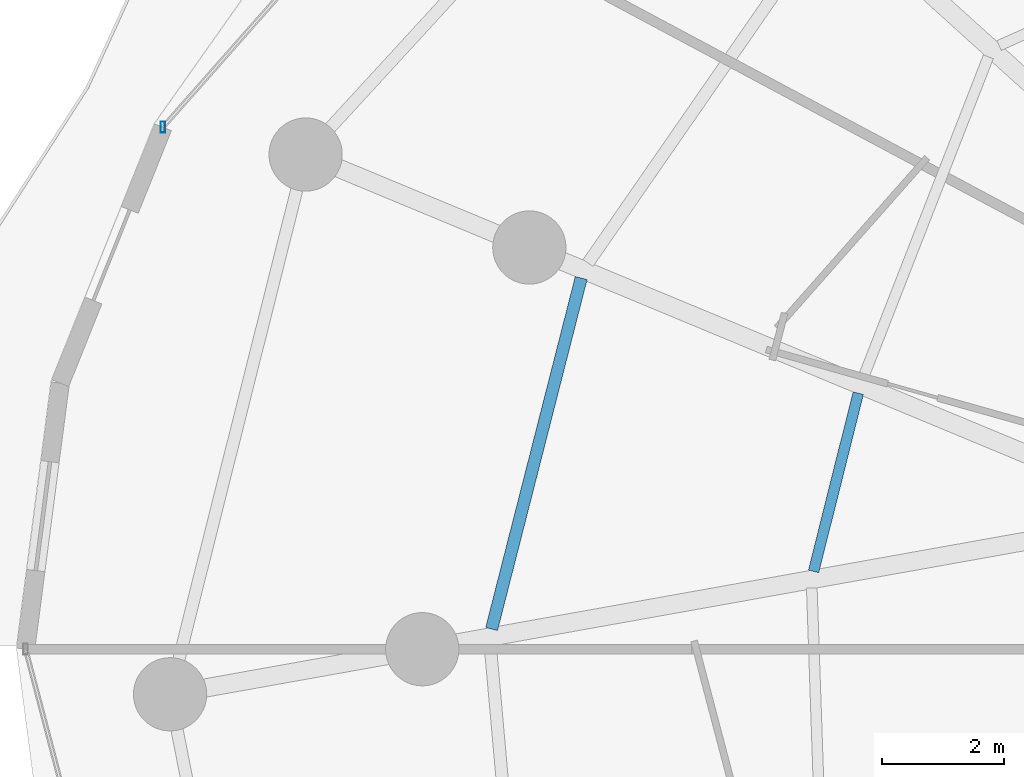
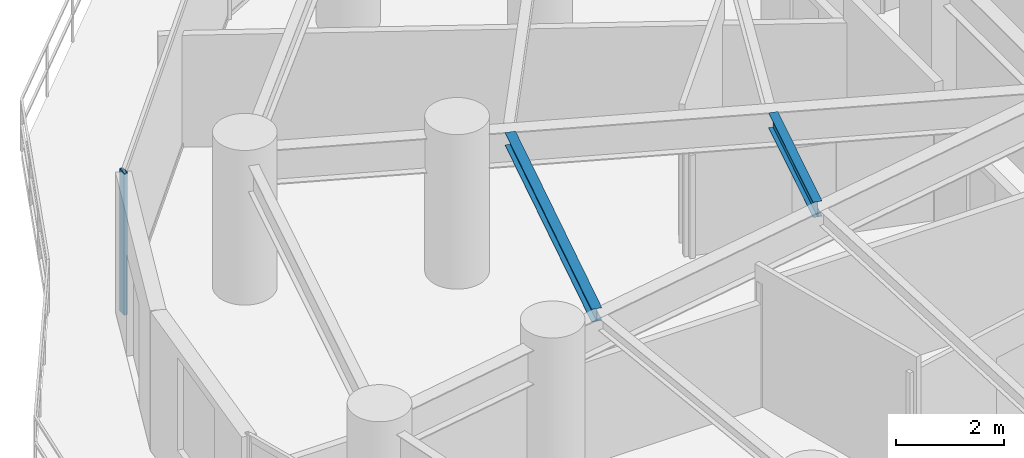
# One storey, part 10 of 34: 2 beams, 1 member, 1 element without a shape of its own.
"""IFC4 building model written with IfcOpenShell, lengths in metres."""

from ifc_helpers import new_model, si_unit, direction, frame, origin, origin_2d, place, context, subcontext, project, spatial, hollow_rectangle, i_section, extrude, material, material_profile, profile_set, type_object, element, aggregate, save


model = new_model("IFC4")

# Units and contexts
model_context = context("Model", 3, precision=1e-05, world=origin(), true_north=direction((0.0, 1.0)))
body_context = subcontext(model_context, "Body", "Model", "MODEL_VIEW")
ifc_project = project(units=[si_unit("LENGTHUNIT", "METRE"), si_unit("AREAUNIT", "SQUARE_METRE"), si_unit("VOLUMEUNIT", "CUBIC_METRE"), si_unit("PLANEANGLEUNIT", "RADIAN"), si_unit("MASSUNIT", "GRAM", prefix="KILO")], contexts=[model_context])

# Site, building, storey
site_placement = place(None, origin())
site = spatial("IfcSite", under=ifc_project, at=site_placement, CompositionType="ELEMENT")
building_placement = place(site_placement, origin())
building = spatial("IfcBuilding", under=site, at=building_placement, Name="Vorneva Point Tower", CompositionType="ELEMENT")
storey_placement = place(building_placement, frame((0.0, 0.0, 66.0)))
storey = spatial("IfcBuildingStorey", under=building, at=storey_placement, Name="L17", CompositionType="ELEMENT", Elevation=66.0)

# Beams
ifc_material_1 = material(Name="Steel S355", Category="steel")
ifc_material_profile_1 = material_profile(ifc_material_1, i_section(OverallWidth=0.199951171875, OverallDepth=0.291015625, WebThickness=0.008056640625, FlangeThickness=0.010986328125, at=origin_2d()), Name="30Sh1")
ifc_profile_set_1 = profile_set([ifc_material_profile_1], Name="Steel S355")
beam_type_1 = type_object("IfcBeamType", Name="BM-SEC-30Sh1", PredefinedType="BEAM", material=ifc_profile_set_1)
beam_1_placement = place(storey_placement, frame((17.55419921875, 32.081298828125, 3.00439453125), z_axis=(-0.247314222988, -0.968935330715, 0.0), x_axis=(0.968935330715, -0.247314222988, 0.0)))
element("IfcBeam", 1, at=beam_1_placement, inside=storey, type_object=beam_type_1, Name="L17 Secondary Floor Beam 1.08", PredefinedType="BEAM", context=body_context, shape_type="SweptSolid", body=[
    extrude(i_section(OverallWidth=0.199951171875, OverallDepth=0.291015625, WebThickness=0.008056640625, FlangeThickness=0.010986328125, at=origin_2d()), origin(), (0.0, 0.0, 1.0), 5.934814453125),
])
ifc_material_profile_2 = material_profile(ifc_material_1, i_section(OverallWidth=0.174072265625, OverallDepth=0.345947265625, WebThickness=0.006103515625, FlangeThickness=0.009033203125, at=origin_2d()), Name="35B1")
ifc_profile_set_2 = profile_set([ifc_material_profile_2], Name="Steel S355")
beam_type_2 = type_object("IfcBeamType", Name="BM-SEC-35B1", PredefinedType="BEAM", material=ifc_profile_set_2)
beam_2_placement = place(storey_placement, frame((22.094970703125, 30.1943359375, 2.97705078125), z_axis=(-0.24339428241, -0.969927431971, 0.0), x_axis=(0.969927431971, -0.24339428241, 0.0)))
element("IfcBeam", 2, at=beam_2_placement, inside=storey, type_object=beam_type_2, Name="L17 Secondary Floor Beam 2.08", PredefinedType="BEAM", context=body_context, shape_type="SweptSolid", body=[
    extrude(i_section(OverallWidth=0.174072265625, OverallDepth=0.345947265625, WebThickness=0.006103515625, FlangeThickness=0.009033203125, at=origin_2d()), origin(), (0.0, 0.0, 1.0), 3.01025390625),
])

# Curtain wall, member
ifc_material_2 = material(Name="Pale anodised aluminium", Category="aluminium")
curtain_wall_type = type_object("IfcCurtainWallType", Name="CW-HTL-SYS", PredefinedType="NOTDEFINED", material=ifc_material_2)
curtain_wall_placement = place(storey_placement, origin())
curtain_wall = element("IfcCurtainWall", 3, at=curtain_wall_placement, inside=storey, type_object=curtain_wall_type, Name="L17 Unitised Curtain Wall CW-L17-R02", PredefinedType="NOTDEFINED")
ifc_material_profile_3 = material_profile(ifc_material_2, hollow_rectangle(XDim=0.074951171875, YDim=0.179931640625, WallThickness=0.00390625, at=origin_2d()), Name="AL-MUL 180x75x4")
ifc_profile_set_3 = profile_set([ifc_material_profile_3], Name="Pale anodised aluminium")
member_type = type_object("IfcMemberType", Name="CW-MUL-180", PredefinedType="MULLION", material=ifc_profile_set_3)
member_placement = place(storey_placement, frame((10.699462890625, 34.552978515625, -0.0400390625), z_axis=(0.0, 0.0, 1.0), x_axis=(1.0, 0.0, 0.0)))
member = element("IfcMember", 4, at=member_placement, type_object=member_type, Name="CW-L17-R02 Mullion 06", PredefinedType="MULLION", context=body_context, shape_type="SweptSolid", body=[
    extrude(hollow_rectangle(XDim=0.074951171875, YDim=0.179931640625, WallThickness=0.00390625, at=origin_2d()), origin(), (0.0, 0.0, 1.0), 3.219970703125),
])
aggregate(curtain_wall, [member])

save(model, "model.ifc")
